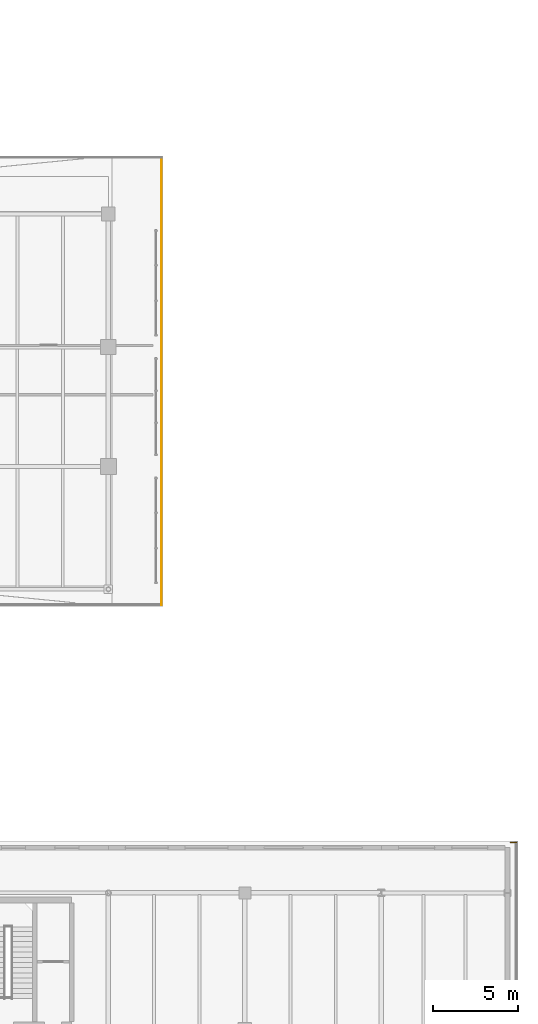
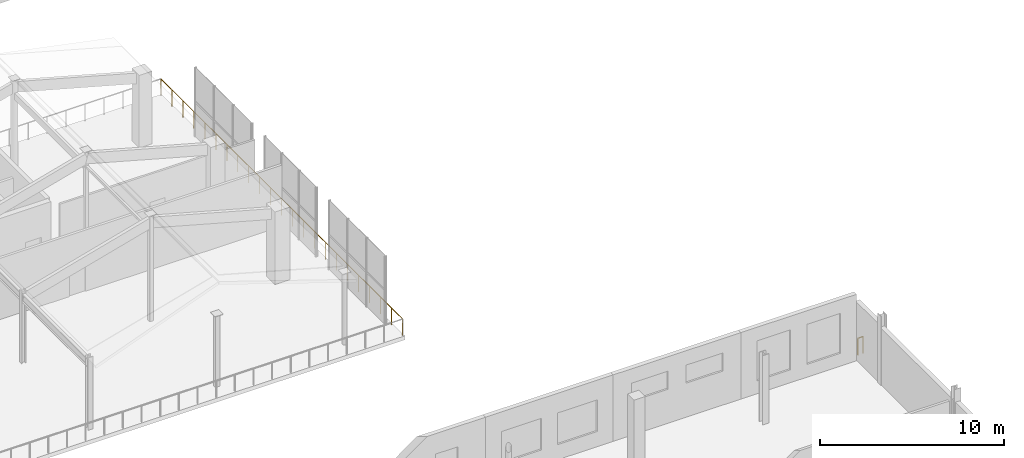
# One storey, part 69 of 70: 2 railings.
"""IFC4 building model written with IfcOpenShell, lengths in metres."""

from ifc_helpers import new_model, si_unit, direction, frame, origin, origin_2d, place, context, subcontext, project, spatial, circle, extrude, material, type_object, element, save


model = new_model("IFC4")

# Units and contexts
model_context = context("Model", 3, precision=1e-05, world=origin(), true_north=direction((0.0, 1.0)))
body_context = subcontext(model_context, "Body", "Model", "MODEL_VIEW")
ifc_project = project(units=[si_unit("LENGTHUNIT", "METRE"), si_unit("AREAUNIT", "SQUARE_METRE"), si_unit("VOLUMEUNIT", "CUBIC_METRE"), si_unit("PLANEANGLEUNIT", "RADIAN"), si_unit("MASSUNIT", "GRAM", prefix="KILO")], contexts=[model_context])

# Site, building, storey
site_placement = place(None, origin())
site = spatial("IfcSite", under=ifc_project, at=site_placement, CompositionType="ELEMENT")
building_placement = place(site_placement, origin())
building = spatial("IfcBuilding", under=site, at=building_placement, Name="Brisemont Oceanarium", CompositionType="ELEMENT")
storey_placement = place(building_placement, frame((0.0, 0.0, 10.199951171875)))
storey = spatial("IfcBuildingStorey", under=building, at=storey_placement, Name="L02", CompositionType="ELEMENT", Elevation=10.199951171875)

# Railings
ifc_material = material(Name="Duplex Stainless Steel EN 1.4462", Category="steel")
railing_type = type_object("IfcRailingType", Name="RLG-GUARD-1120", PredefinedType="GUARDRAIL", material=ifc_material)
railing_1_placement = place(storey_placement, frame((159.582275390625, 26.9599609375, 0.0)))
element("IfcRailing", 1, at=railing_1_placement, inside=storey, type_object=railing_type, Name="L02 slab perimeter safety guard 124", PredefinedType="GUARDRAIL", context=body_context, shape_type="SweptSolid", body=[
    extrude(circle(Radius=0.02392578125, at=origin_2d()), frame((0.0, 0.0, 1.09619140625), z_axis=(1.0, 0.0, 0.0), x_axis=(0.0, 1.0, 0.0)), (0.0, 0.0, 1.0), 0.3271484375),
    extrude(circle(Radius=0.02099609375, at=origin_2d()), origin(), (0.0, 0.0, 1.0), 1.072021484375),
    extrude(circle(Radius=0.02099609375, at=origin_2d()), frame((0.3271484375, 0.0, 0.0)), (0.0, 0.0, 1.0), 1.072021484375),
])
railing_2_placement = place(storey_placement, frame((139.109619140625, 67.110107421875, 0.0)))
element("IfcRailing", 2, at=railing_2_placement, inside=storey, type_object=railing_type, Name="L02 slab perimeter safety guard 132", PredefinedType="GUARDRAIL", context=body_context, shape_type="SweptSolid", body=[
    extrude(circle(Radius=0.02392578125, at=origin_2d()), frame((0.0, 0.0, 1.09619140625), z_axis=(1.8622668e-05, -0.999999999827, 0.0), x_axis=(0.999999999827, 1.8622668e-05, 0.0)), (0.0, 0.0, 1.0), 26.2197265625),
    extrude(circle(Radius=0.02099609375, at=origin_2d()), origin(), (0.0, 0.0, 1.0), 1.072021484375),
    extrude(circle(Radius=0.02099609375, at=origin_2d()), frame((0.0, -1.19189453125, 0.0)), (0.0, 0.0, 1.0), 1.072021484375),
    extrude(circle(Radius=0.02099609375, at=origin_2d()), frame((0.0, -2.383544921875, 0.0)), (0.0, 0.0, 1.0), 1.072021484375),
    extrude(circle(Radius=0.02099609375, at=origin_2d()), frame((0.0, -3.575439453125, 0.0)), (0.0, 0.0, 1.0), 1.072021484375),
    extrude(circle(Radius=0.02099609375, at=origin_2d()), frame((0.0, -4.767333984375, 0.0)), (0.0, 0.0, 1.0), 1.072021484375),
    extrude(circle(Radius=0.02099609375, at=origin_2d()), frame((0.0, -5.958984375, 0.0)), (0.0, 0.0, 1.0), 1.072021484375),
    extrude(circle(Radius=0.02099609375, at=origin_2d()), frame((0.000244140625, -7.15087890625, 0.0)), (0.0, 0.0, 1.0), 1.072021484375),
    extrude(circle(Radius=0.02099609375, at=origin_2d()), frame((0.000244140625, -8.342529296875, 0.0)), (0.0, 0.0, 1.0), 1.072021484375),
    extrude(circle(Radius=0.02099609375, at=origin_2d()), frame((0.000244140625, -9.534423828125, 0.0)), (0.0, 0.0, 1.0), 1.072021484375),
    extrude(circle(Radius=0.02099609375, at=origin_2d()), frame((0.000244140625, -10.726318359375, 0.0)), (0.0, 0.0, 1.0), 1.072021484375),
    extrude(circle(Radius=0.02099609375, at=origin_2d()), frame((0.000244140625, -11.91796875, 0.0)), (0.0, 0.0, 1.0), 1.072021484375),
    extrude(circle(Radius=0.02099609375, at=origin_2d()), frame((0.000244140625, -13.10986328125, 0.0)), (0.0, 0.0, 1.0), 1.072021484375),
    extrude(circle(Radius=0.02099609375, at=origin_2d()), frame((0.000244140625, -14.3017578125, 0.0)), (0.0, 0.0, 1.0), 1.072021484375),
    extrude(circle(Radius=0.02099609375, at=origin_2d()), frame((0.000244140625, -15.493408203125, 0.0)), (0.0, 0.0, 1.0), 1.072021484375),
    extrude(circle(Radius=0.02099609375, at=origin_2d()), frame((0.000244140625, -16.685302734375, 0.0)), (0.0, 0.0, 1.0), 1.072021484375),
    extrude(circle(Radius=0.02099609375, at=origin_2d()), frame((0.000244140625, -17.877197265625, 0.0)), (0.0, 0.0, 1.0), 1.072021484375),
    extrude(circle(Radius=0.02099609375, at=origin_2d()), frame((0.000244140625, -19.06884765625, 0.0)), (0.0, 0.0, 1.0), 1.072021484375),
    extrude(circle(Radius=0.02099609375, at=origin_2d()), frame((0.00048828125, -20.2607421875, 0.0)), (0.0, 0.0, 1.0), 1.072021484375),
    extrude(circle(Radius=0.02099609375, at=origin_2d()), frame((0.00048828125, -21.452392578125, 0.0)), (0.0, 0.0, 1.0), 1.072021484375),
    extrude(circle(Radius=0.02099609375, at=origin_2d()), frame((0.00048828125, -22.644287109375, 0.0)), (0.0, 0.0, 1.0), 1.072021484375),
    extrude(circle(Radius=0.02099609375, at=origin_2d()), frame((0.00048828125, -23.836181640625, 0.0)), (0.0, 0.0, 1.0), 1.072021484375),
    extrude(circle(Radius=0.02099609375, at=origin_2d()), frame((0.00048828125, -25.02783203125, 0.0)), (0.0, 0.0, 1.0), 1.072021484375),
    extrude(circle(Radius=0.02099609375, at=origin_2d()), frame((0.00048828125, -26.2197265625, 0.0)), (0.0, 0.0, 1.0), 1.072021484375),
])

save(model, "model.ifc")
